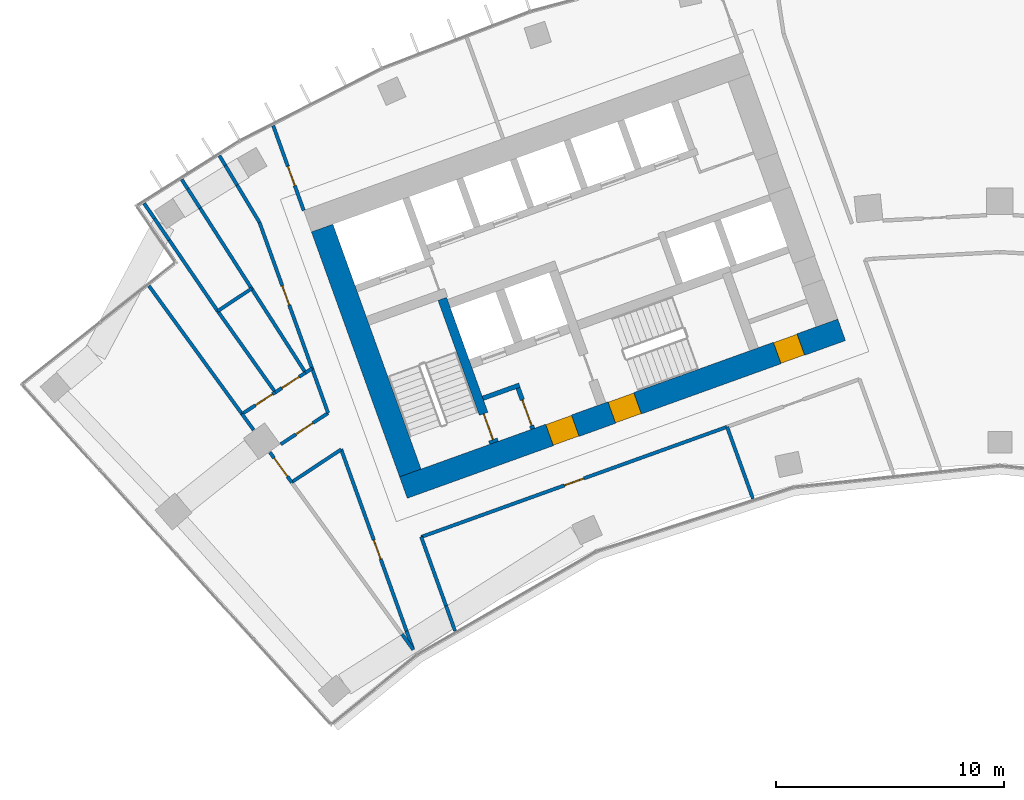
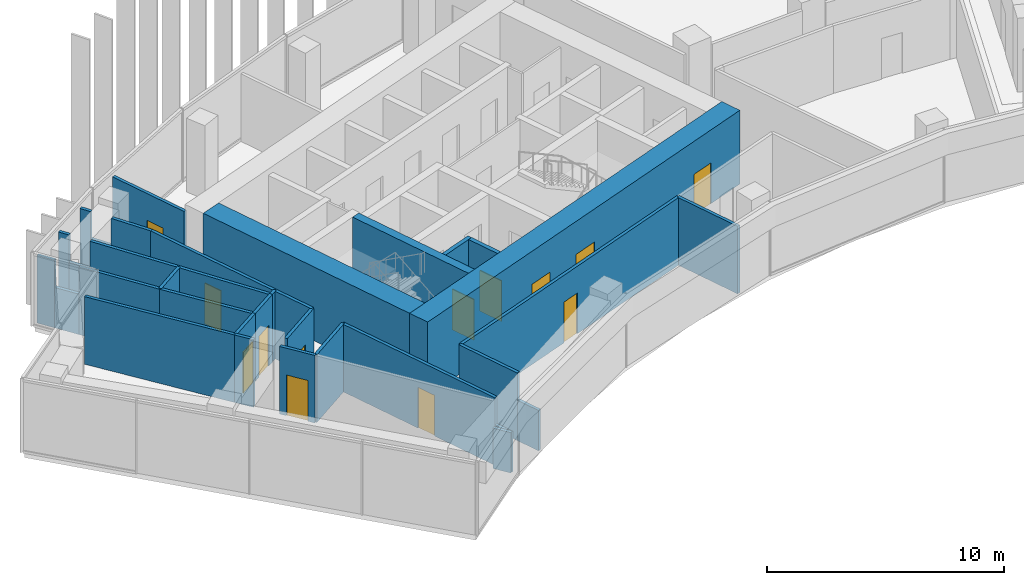
# One storey, part 13 of 19: 35 walls, 13 doors, 13 openings.
"""IFC4 building model written with IfcOpenShell, lengths in metres."""

from ifc_helpers import new_model, si_unit, direction, frame, frame_2d, origin, place, context, subcontext, project, spatial, rectangle, extrude, material, layer, layer_set, type_object, element, fill, save


model = new_model("IFC4")

# Units and contexts
model_context = context("Model", 3, precision=1e-05, world=origin(), true_north=direction((0.0, 1.0)))
body_context = subcontext(model_context, "Body", "Model", "MODEL_VIEW")
ifc_project = project(units=[si_unit("LENGTHUNIT", "METRE"), si_unit("AREAUNIT", "SQUARE_METRE"), si_unit("VOLUMEUNIT", "CUBIC_METRE"), si_unit("PLANEANGLEUNIT", "RADIAN"), si_unit("MASSUNIT", "GRAM", prefix="KILO")], contexts=[model_context])

# Site, building, storey
site_placement = place(None, origin())
site = spatial("IfcSite", under=ifc_project, at=site_placement, CompositionType="ELEMENT")
building_placement = place(site_placement, origin())
building = spatial("IfcBuilding", under=site, at=building_placement, Name="Stone Belt Terrace Tower", CompositionType="ELEMENT")
storey_placement = place(building_placement, frame((0.0, 0.0, 235.199951171875)))
storey = spatial("IfcBuildingStorey", under=building, at=storey_placement, Name="L57", CompositionType="ELEMENT", Elevation=235.199951171875)

# Wall, openings, doors
ifc_material_1 = material(Name="Concrete B60", Category="concrete")
ifc_layer_1 = layer(ifc_material_1, 1.0)
ifc_layer_set_1 = layer_set([ifc_layer_1], Name="Core wall 1000 B60")
wall_type_1 = type_object("IfcWallType", Name="Core wall 1000 B60", PredefinedType="SHEAR", material=ifc_layer_set_1)
wall_1_placement = place(storey_placement, frame((-26.122314453125, 42.462890625, 0.0), z_axis=(0.0, 0.0, 1.0), x_axis=(0.940921428504, 0.338624962727, 0.0)))
wall_1 = element("IfcWall", 1, at=wall_1_placement, inside=storey, type_object=wall_type_1, Name="Core A wall concave L57", PredefinedType="SHEAR", context=body_context, shape_type="SweptSolid", body=[
    extrude(rectangle(XDim=20.400146484375, YDim=1.0, at=frame_2d((10.2001953125, 0.0))), origin(), (0.0, 0.0, 1.0), 3.800048828125),
])
opening_1_placement = place(wall_1_placement, frame((6.800048828125, 0.0, 0.0)))
opening_1 = element("IfcOpeningElement", 2, at=opening_1_placement, cuts=wall_1, Name="Opening L57-C07", PredefinedType="OPENING", context=body_context, shape_type="SweptSolid", body=[
    extrude(rectangle(XDim=1.199951171875, YDim=2.10009765625, at=frame_2d((0.60009765625, 1.050048828125))), frame((0.0, 0.510009765625, 0.0), z_axis=(0.0, -1.0, 0.0), x_axis=(1.0, 0.0, 0.0)), (0.0, 0.0, 1.0), 1.02001953125),
])
opening_2_placement = place(wall_1_placement, frame((9.699951171875, 0.0, 0.0)))
opening_2 = element("IfcOpeningElement", 3, at=opening_2_placement, cuts=wall_1, Name="Opening L57-C09", PredefinedType="OPENING", context=body_context, shape_type="SweptSolid", body=[
    extrude(rectangle(XDim=1.199951171875, YDim=2.10009765625, at=frame_2d((0.60009765625, 1.050048828125))), frame((0.0, 0.510009765625, 0.0), z_axis=(0.0, -1.0, 0.0), x_axis=(1.0, 0.0, 0.0)), (0.0, 0.0, 1.0), 1.02001953125),
])
opening_3_placement = place(wall_1_placement, frame((17.400146484375, 0.0, 0.0)))
opening_3 = element("IfcOpeningElement", 4, at=opening_3_placement, cuts=wall_1, Name="Opening L57-C11", PredefinedType="OPENING", context=body_context, shape_type="SweptSolid", body=[
    extrude(rectangle(XDim=1.10009765625, YDim=2.10009765625, at=frame_2d((0.550048828125, 1.050048828125))), frame((0.0, 0.510009765625, 0.0), z_axis=(0.0, -1.0, 0.0), x_axis=(1.0, 0.0, 0.0)), (0.0, 0.0, 1.0), 1.02001953125),
])
ifc_material_2 = material(Name="Timber door leaf", Category="wood")
door_type_1 = type_object("IfcDoorType", Name="Core room door 1100", OperationType="SINGLE_SWING_LEFT", PredefinedType="DOOR", material=ifc_material_2)
door_1_placement = place(opening_3_placement, origin())
door_1 = element("IfcDoor", 5, at=door_1_placement, inside=storey, type_object=door_type_1, Name="Door to Pipe riser core A", OperationType="SINGLE_SWING_LEFT", OverallHeight=2.10009765625, OverallWidth=1.10009765625, PredefinedType="DOOR", context=body_context, shape_type="SweptSolid", body=[
    extrude(rectangle(XDim=1.10009765625, YDim=2.10009765625, at=frame_2d((0.550048828125, 1.050048828125))), frame((0.0, 0.47998046875, 0.0), z_axis=(0.0, -1.0, 0.0), x_axis=(1.0, 0.0, 0.0)), (0.0, 0.0, 1.0), 0.9599609375),
])
fill(opening_3, door_1)
ifc_material_3 = material(Name="Steel door leaf", Category="steel")
door_type_2 = type_object("IfcDoorType", Name="Fire-fighting lobby door 1200", OperationType="SINGLE_SWING_LEFT", PredefinedType="DOOR", material=ifc_material_3)
door_2_placement = place(opening_1_placement, origin())
door_2 = element("IfcDoor", 6, at=door_2_placement, inside=storey, type_object=door_type_2, Name="Fire-fighting lobby door core A", OperationType="SINGLE_SWING_LEFT", OverallHeight=2.10009765625, OverallWidth=1.199951171875, PredefinedType="DOOR", context=body_context, shape_type="SweptSolid", body=[
    extrude(rectangle(XDim=1.199951171875, YDim=2.10009765625, at=frame_2d((0.60009765625, 1.050048828125))), frame((0.0, 0.47998046875, 0.0), z_axis=(0.0, -1.0, 0.0), x_axis=(1.0, 0.0, 0.0)), (0.0, 0.0, 1.0), 0.9599609375),
])
fill(opening_1, door_2)
door_type_3 = type_object("IfcDoorType", Name="Stair door 1200", OperationType="SINGLE_SWING_LEFT", PredefinedType="DOOR", material=ifc_material_3)
door_3_placement = place(opening_2_placement, origin())
door_3 = element("IfcDoor", 7, at=door_3_placement, inside=storey, type_object=door_type_3, Name="Stair 2 exit door core A", OperationType="SINGLE_SWING_RIGHT", OverallHeight=2.10009765625, OverallWidth=1.199951171875, PredefinedType="DOOR", context=body_context, shape_type="SweptSolid", body=[
    extrude(rectangle(XDim=1.199951171875, YDim=2.10009765625, at=frame_2d((0.60009765625, 1.050048828125))), frame((0.0, 0.47998046875, 0.0), z_axis=(0.0, -1.0, 0.0), x_axis=(1.0, 0.0, 0.0)), (0.0, 0.0, 1.0), 0.9599609375),
])
fill(opening_2, door_3)

# Walls
wall_2_placement = place(storey_placement, frame((-25.821044921875, 43.102783203125, 0.0), z_axis=(0.0, 0.0, 1.0), x_axis=(-0.338625431531, 0.940921259788, 0.0)))
element("IfcWall", 8, at=wall_2_placement, inside=storey, type_object=wall_type_1, Name="Core A wall end_a L57", PredefinedType="SHEAR", context=body_context, shape_type="SweptSolid", body=[
    extrude(rectangle(XDim=11.400146484375, YDim=1.0, at=frame_2d((5.7001953125, 0.0))), origin(), (0.0, 0.0, 1.0), 3.800048828125),
])
ifc_material_4 = material(Name="Gypsum board partition")
ifc_layer_2 = layer(ifc_material_4, 0.14990234375)
ifc_layer_set_2 = layer_set([ifc_layer_2], Name="PARTITION 150 EI 60")
wall_type_2 = type_object("IfcWallType", Name="PARTITION 150 EI 60", PredefinedType="PARTITIONING", material=ifc_layer_set_2)
wall_3_placement = place(storey_placement, frame((-25.344970703125, 40.304931640625, 0.0), z_axis=(0.0, 0.0, 1.0), x_axis=(0.338625345836, -0.940921290628, 0.0)))
element("IfcWall", 9, at=wall_3_placement, inside=storey, type_object=wall_type_2, Name="L57/wall/i001-1", PredefinedType="PARTITIONING", context=body_context, shape_type="SweptSolid", body=[
    extrude(rectangle(XDim=3.21484375, YDim=0.14990234375, at=frame_2d((1.607421875, 0.0))), origin(), (0.0, 0.0, 1.0), 3.47998046875),
])
wall_4_placement = place(storey_placement, frame((-24.25634765625, 37.280029296875, 0.0), z_axis=(0.0, 0.0, 1.0), x_axis=(0.338542189981, -0.940951213189, 0.0)))
element("IfcWall", 10, at=wall_4_placement, inside=storey, type_object=wall_type_2, Name="L57/wall/i001-2", PredefinedType="PARTITIONING", context=body_context, shape_type="SweptSolid", body=[
    extrude(rectangle(XDim=1.17041015625, YDim=0.14990234375, at=frame_2d((0.585205078125, 0.0))), origin(), (0.0, 0.0, 1.0), 2.080078125),
])

# Wall, opening, door
wall_5_placement = place(storey_placement, frame((-31.826904296875, 58.314208984375, 0.0), z_axis=(0.0, 0.0, 1.0), x_axis=(0.338542007836, -0.940951278723, 0.0)))
wall_5 = element("IfcWall", 11, at=wall_5_placement, inside=storey, type_object=wall_type_2, Name="L57/wall/i002", PredefinedType="PARTITIONING", context=body_context, shape_type="SweptSolid", body=[
    extrude(rectangle(XDim=3.946044921875, YDim=0.14990234375, at=frame_2d((1.97314453125, 0.0))), origin(), (0.0, 0.0, 1.0), 3.47998046875),
])
opening_4_placement = place(wall_5_placement, frame((1.889892578125, 0.0, 0.0)))
opening_4 = element("IfcOpeningElement", 12, at=opening_4_placement, cuts=wall_5, Name="Opening D-D4-03", PredefinedType="OPENING", context=body_context, shape_type="SweptSolid", body=[
    extrude(rectangle(XDim=0.89990234375, YDim=2.10009765625, at=frame_2d((0.449951171875, 1.050048828125))), frame((0.0, 0.0849609375, 0.0), z_axis=(0.0, -1.0, 0.0), x_axis=(1.0, 0.0, 0.0)), (0.0, 0.0, 1.0), 0.169921875),
])
door_type_4 = type_object("IfcDoorType", Name="OFFICE DOOR 900 X 2100", OperationType="NOTDEFINED", PredefinedType="DOOR", material=ifc_material_2)
door_4_placement = place(opening_4_placement, origin())
door_4 = element("IfcDoor", 13, at=door_4_placement, inside=storey, type_object=door_type_4, Name="L57/door/i03", OperationType="SINGLE_SWING_RIGHT", OverallHeight=2.10009765625, OverallWidth=0.89990234375, PredefinedType="DOOR", context=body_context, shape_type="SweptSolid", body=[
    extrude(rectangle(XDim=0.89990234375, YDim=2.10009765625, at=frame_2d((0.449951171875, 1.050048828125))), frame((0.0, 0.02490234375, 0.0), z_axis=(0.0, -1.0, 0.0), x_axis=(1.0, 0.0, 0.0)), (0.0, 0.0, 1.0), 0.050048828125),
])
fill(opening_4, door_4)

# Wall
wall_6_placement = place(storey_placement, frame((-25.69091796875, 35.35791015625, 0.0), z_axis=(0.0, 0.0, 1.0), x_axis=(-0.338818621983, 0.940851710631, 0.0)))
element("IfcWall", 14, at=wall_6_placement, inside=storey, type_object=wall_type_2, Name="L57/wall/i003-1", PredefinedType="PARTITIONING", context=body_context, shape_type="SweptSolid", body=[
    extrude(rectangle(XDim=0.871826171875, YDim=0.14990234375, at=frame_2d((0.43603515625, 0.0))), origin(), (0.0, 0.0, 1.0), 2.080078125),
])

# Wall, opening, door
wall_7_placement = place(storey_placement, frame((-25.986328125, 36.17822265625, 0.0), z_axis=(0.0, 0.0, 1.0), x_axis=(-0.338640777151, 0.940915736956, 0.0)))
wall_7 = element("IfcWall", 15, at=wall_7_placement, inside=storey, type_object=wall_type_2, Name="L57/wall/i003-2", PredefinedType="PARTITIONING", context=body_context, shape_type="SweptSolid", body=[
    extrude(rectangle(XDim=8.45947265625, YDim=0.14990234375, at=frame_2d((4.229736328125, 0.0))), origin(), (0.0, 0.0, 1.0), 3.47998046875),
])
opening_5_placement = place(wall_7_placement, frame((3.34375, 0.0, 0.0)))
opening_5 = element("IfcOpeningElement", 16, at=opening_5_placement, cuts=wall_7, Name="Opening D-D4-10", PredefinedType="OPENING", context=body_context, shape_type="SweptSolid", body=[
    extrude(rectangle(XDim=0.89990234375, YDim=2.10009765625, at=frame_2d((0.449951171875, 1.050048828125))), frame((0.0, 0.0849609375, 0.0), z_axis=(0.0, -1.0, 0.0), x_axis=(1.0, 0.0, 0.0)), (0.0, 0.0, 1.0), 0.169921875),
])
door_5_placement = place(opening_5_placement, origin())
door_5 = element("IfcDoor", 17, at=door_5_placement, inside=storey, type_object=door_type_4, Name="L57/door/i10", OperationType="SINGLE_SWING_RIGHT", OverallHeight=2.10009765625, OverallWidth=0.89990234375, PredefinedType="DOOR", context=body_context, shape_type="SweptSolid", body=[
    extrude(rectangle(XDim=0.89990234375, YDim=2.10009765625, at=frame_2d((0.449951171875, 1.050048828125))), frame((0.0, 0.02490234375, 0.0), z_axis=(0.0, -1.0, 0.0), x_axis=(1.0, 0.0, 0.0)), (0.0, 0.0, 1.0), 0.050048828125),
])
fill(opening_5, door_5)

# Wall
wall_8_placement = place(storey_placement, frame((-29.4208984375, 45.721923828125, 0.0), z_axis=(0.0, 0.0, 1.0), x_axis=(-0.33843352279, 0.940990303166, 0.0)))
element("IfcWall", 18, at=wall_8_placement, inside=storey, type_object=wall_type_2, Name="L57/wall/i004", PredefinedType="PARTITIONING", context=body_context, shape_type="SweptSolid", body=[
    extrude(rectangle(XDim=2.086181640625, YDim=0.14990234375, at=frame_2d((1.04296875, 0.0))), origin(), (0.0, 0.0, 1.0), 3.47998046875),
])

# Wall, opening, door
wall_9_placement = place(storey_placement, frame((-30.123046875, 47.673095703125, 0.0), z_axis=(0.0, 0.0, 1.0), x_axis=(-0.338708034587, 0.940891527917, 0.0)))
wall_9 = element("IfcWall", 19, at=wall_9_placement, inside=storey, type_object=wall_type_2, Name="L57/wall/i005", PredefinedType="PARTITIONING", context=body_context, shape_type="SweptSolid", body=[
    extrude(rectangle(XDim=6.80517578125, YDim=0.14990234375, at=frame_2d((3.402587890625, 0.0))), origin(), (0.0, 0.0, 1.0), 3.47998046875),
])
opening_6_placement = place(wall_9_placement, frame((2.95263671875, 0.0, 0.0)))
opening_6 = element("IfcOpeningElement", 20, at=opening_6_placement, cuts=wall_9, Name="Opening D-D4-14", PredefinedType="OPENING", context=body_context, shape_type="SweptSolid", body=[
    extrude(rectangle(XDim=0.89990234375, YDim=2.10009765625, at=frame_2d((0.449951171875, 1.050048828125))), frame((0.0, 0.0849609375, 0.0), z_axis=(0.0, -1.0, 0.0), x_axis=(1.0, 0.0, 0.0)), (0.0, 0.0, 1.0), 0.169921875),
])
door_6_placement = place(opening_6_placement, origin())
door_6 = element("IfcDoor", 21, at=door_6_placement, inside=storey, type_object=door_type_4, Name="L57/door/i14", OperationType="SINGLE_SWING_RIGHT", OverallHeight=2.10009765625, OverallWidth=0.89990234375, PredefinedType="DOOR", context=body_context, shape_type="SweptSolid", body=[
    extrude(rectangle(XDim=0.89990234375, YDim=2.10009765625, at=frame_2d((0.449951171875, 1.050048828125))), frame((0.0, 0.02490234375, 0.0), z_axis=(0.0, -1.0, 0.0), x_axis=(1.0, 0.0, 0.0)), (0.0, 0.0, 1.0), 0.050048828125),
])
fill(opening_6, door_6)

# Walls
wall_10_placement = place(storey_placement, frame((-32.427978515625, 54.075927734375, 0.0), z_axis=(0.0, 0.0, 1.0), x_axis=(-0.51415690432, 0.857696145345, 0.0)))
element("IfcWall", 22, at=wall_10_placement, inside=storey, type_object=wall_type_2, Name="L57/wall/i006-1", PredefinedType="PARTITIONING", context=body_context, shape_type="SweptSolid", body=[
    extrude(rectangle(XDim=1.907470703125, YDim=0.14990234375, at=frame_2d((0.95361328125, 0.0))), origin(), (0.0, 0.0, 1.0), 3.47998046875),
])
wall_11_placement = place(storey_placement, frame((-33.40869140625, 55.7119140625, 0.0), z_axis=(0.0, 0.0, 1.0), x_axis=(-0.514101747942, 0.85772920713, 0.0)))
element("IfcWall", 23, at=wall_11_placement, inside=storey, type_object=wall_type_2, Name="L57/wall/i006-2", PredefinedType="PARTITIONING", context=body_context, shape_type="SweptSolid", body=[
    extrude(rectangle(XDim=1.00244140625, YDim=0.14990234375, at=frame_2d((0.501220703125, 0.0))), origin(), (0.0, 0.0, 1.0), 2.080078125),
])
wall_12_placement = place(storey_placement, frame((-33.924072265625, 56.57177734375, 0.0), z_axis=(0.0, 0.0, 1.0), x_axis=(-0.514138392294, 0.857707242344, 0.0)))
element("IfcWall", 24, at=wall_12_placement, inside=storey, type_object=wall_type_2, Name="L57/wall/i006-3", PredefinedType="PARTITIONING", context=body_context, shape_type="SweptSolid", body=[
    extrude(rectangle(XDim=0.50244140625, YDim=0.14990234375, at=frame_2d((0.251220703125, 0.0))), origin(), (0.0, 0.0, 1.0), 3.47998046875),
])

# Wall, opening, door
wall_13_placement = place(storey_placement, frame((-11.93896484375, 45.123046875, 0.0), z_axis=(0.0, 0.0, 1.0), x_axis=(-0.940920615009, -0.338627223138, 0.0)))
wall_13 = element("IfcWall", 25, at=wall_13_placement, inside=storey, type_object=wall_type_2, Name="L57/wall/i012", PredefinedType="PARTITIONING", context=body_context, shape_type="SweptSolid", body=[
    extrude(rectangle(XDim=14.24560546875, YDim=0.14990234375, at=frame_2d((7.122802734375, 0.0))), origin(), (0.0, 0.0, 1.0), 3.47998046875),
])
opening_7_placement = place(wall_13_placement, frame((6.6728515625, 0.0, 0.0)))
opening_7 = element("IfcOpeningElement", 26, at=opening_7_placement, cuts=wall_13, Name="Opening D-D4-01", PredefinedType="OPENING", context=body_context, shape_type="SweptSolid", body=[
    extrude(rectangle(XDim=0.89990234375, YDim=2.10009765625, at=frame_2d((0.449951171875, 1.050048828125))), frame((0.0, 0.0849609375, 0.0), z_axis=(0.0, -1.0, 0.0), x_axis=(1.0, 0.0, 0.0)), (0.0, 0.0, 1.0), 0.169921875),
])
door_7_placement = place(opening_7_placement, origin())
door_7 = element("IfcDoor", 27, at=door_7_placement, inside=storey, type_object=door_type_4, Name="L57/door/i01", OperationType="SINGLE_SWING_RIGHT", OverallHeight=2.10009765625, OverallWidth=0.89990234375, PredefinedType="DOOR", context=body_context, shape_type="SweptSolid", body=[
    extrude(rectangle(XDim=0.89990234375, YDim=2.10009765625, at=frame_2d((0.449951171875, 1.050048828125))), frame((0.0, 0.02490234375, 0.0), z_axis=(0.0, -1.0, 0.0), x_axis=(1.0, 0.0, 0.0)), (0.0, 0.0, 1.0), 0.050048828125),
])
fill(opening_7, door_7)

# Wall
wall_14_placement = place(storey_placement, frame((-11.945068359375, 45.12109375, 0.0), z_axis=(0.0, 0.0, 1.0), x_axis=(0.338546245332, -0.940949754116, 0.0)))
element("IfcWall", 28, at=wall_14_placement, inside=storey, type_object=wall_type_2, Name="L57/wall/i014", PredefinedType="PARTITIONING", context=body_context, shape_type="SweptSolid", body=[
    extrude(rectangle(XDim=3.343994140625, YDim=0.14990234375, at=frame_2d((1.671875, 0.0))), origin(), (0.0, 0.0, 1.0), 3.47998046875),
])

# Wall, opening, door
wall_15_placement = place(storey_placement, frame((-31.01708984375, 42.69091796875, 0.0), z_axis=(0.0, 0.0, 1.0), x_axis=(-0.587894873124, 0.80893733883, 0.0)))
wall_15 = element("IfcWall", 29, at=wall_15_placement, inside=storey, type_object=wall_type_2, Name="L57/wall/i032", PredefinedType="PARTITIONING", context=body_context, shape_type="SweptSolid", body=[
    extrude(rectangle(XDim=1.625732421875, YDim=0.14990234375, at=frame_2d((0.81298828125, 0.0))), origin(), (0.0, 0.0, 1.0), 3.47998046875),
])
opening_8_placement = place(wall_15_placement, frame((0.31298828125, 0.0, 0.0)))
opening_8 = element("IfcOpeningElement", 30, at=opening_8_placement, cuts=wall_15, Name="Opening D-D4-09", PredefinedType="OPENING", context=body_context, shape_type="SweptSolid", body=[
    extrude(rectangle(XDim=1.0, YDim=2.10009765625, at=frame_2d((0.5, 1.050048828125))), frame((0.0, 0.0849609375, 0.0), z_axis=(0.0, -1.0, 0.0), x_axis=(1.0, 0.0, 0.0)), (0.0, 0.0, 1.0), 0.169921875),
])
ifc_material_5 = material(Name="Timber fire door leaf", Category="wood")
door_type_5 = type_object("IfcDoorType", Name="TENANCY ENTRANCE DOOR 1000 X 2100", OperationType="NOTDEFINED", PredefinedType="DOOR", material=ifc_material_5)
door_8_placement = place(opening_8_placement, origin())
door_8 = element("IfcDoor", 31, at=door_8_placement, inside=storey, type_object=door_type_5, Name="L57/door/i09", OperationType="SINGLE_SWING_RIGHT", OverallHeight=2.10009765625, OverallWidth=1.0, PredefinedType="DOOR", context=body_context, shape_type="SweptSolid", body=[
    extrude(rectangle(XDim=1.0, YDim=2.10009765625, at=frame_2d((0.5, 1.050048828125))), frame((0.0, 0.02490234375, 0.0), z_axis=(0.0, -1.0, 0.0), x_axis=(1.0, 0.0, 0.0)), (0.0, 0.0, 1.0), 0.050048828125),
])
fill(opening_8, door_8)

# Walls
wall_16_placement = place(storey_placement, frame((-26.183349609375, 36.038818359375, 0.0), z_axis=(0.0, 0.0, 1.0), x_axis=(0.58775391966, -0.809039757938, 0.0)))
element("IfcWall", 32, at=wall_16_placement, inside=storey, type_object=wall_type_2, Name="L57/wall/i033-2", PredefinedType="PARTITIONING", context=body_context, shape_type="SweptSolid", body=[
    extrude(rectangle(XDim=0.833984375, YDim=0.14990234375, at=frame_2d((0.4169921875, 0.0))), origin(), (0.0, 0.0, 1.0), 2.080078125),
])
wall_17_placement = place(storey_placement, frame((-33.197021484375, 45.69091796875, 0.0), z_axis=(0.0, 0.0, 1.0), x_axis=(0.587888822877, -0.808941735811, 0.0)))
element("IfcWall", 33, at=wall_17_placement, inside=storey, type_object=wall_type_2, Name="L57/wall/i034", PredefinedType="PARTITIONING", context=body_context, shape_type="SweptSolid", body=[
    extrude(rectangle(XDim=0.87255859375, YDim=0.14990234375, at=frame_2d((0.436279296875, 0.0))), origin(), (0.0, 0.0, 1.0), 3.47998046875),
])
wall_18_placement = place(storey_placement, frame((-37.271728515625, 51.2998046875, 0.0), z_axis=(0.0, 0.0, 1.0), x_axis=(0.587797445401, -0.809008135422, 0.0)))
element("IfcWall", 34, at=wall_18_placement, inside=storey, type_object=wall_type_2, Name="L57/wall/i035", PredefinedType="PARTITIONING", context=body_context, shape_type="SweptSolid", body=[
    extrude(rectangle(XDim=6.944091796875, YDim=0.14990234375, at=frame_2d((3.47216796875, 0.0))), origin(), (0.0, 0.0, 1.0), 3.47998046875),
])
wall_19_placement = place(storey_placement, frame((-28.84912109375, 44.132080078125, 0.0), z_axis=(0.0, 0.0, 1.0), x_axis=(-0.834036299229, -0.551709571757, 0.0)))
element("IfcWall", 35, at=wall_19_placement, inside=storey, type_object=wall_type_2, Name="L57/wall/i036", PredefinedType="PARTITIONING", context=body_context, shape_type="SweptSolid", body=[
    extrude(rectangle(XDim=2.602783203125, YDim=0.14990234375, at=frame_2d((1.30126953125, 0.0))), origin(), (0.0, 0.0, 1.0), 3.47998046875),
])

# Wall, opening, door
wall_20_placement = place(storey_placement, frame((-31.49755859375, 44.3564453125, 0.0), z_axis=(0.0, 0.0, 1.0), x_axis=(0.834158700869, 0.551524488817, 0.0)))
wall_20 = element("IfcWall", 36, at=wall_20_placement, inside=storey, type_object=wall_type_2, Name="L57/wall/i037", PredefinedType="PARTITIONING", context=body_context, shape_type="SweptSolid", body=[
    extrude(rectangle(XDim=2.48681640625, YDim=0.14990234375, at=frame_2d((1.243408203125, 0.0))), origin(), (0.0, 0.0, 1.0), 3.47998046875),
])
opening_9_placement = place(wall_20_placement, frame((0.79345703125, 0.0, 0.0)))
opening_9 = element("IfcOpeningElement", 37, at=opening_9_placement, cuts=wall_20, Name="Opening D-D4-11", PredefinedType="OPENING", context=body_context, shape_type="SweptSolid", body=[
    extrude(rectangle(XDim=0.89990234375, YDim=2.10009765625, at=frame_2d((0.449951171875, 1.050048828125))), frame((0.0, 0.0849609375, 0.0), z_axis=(0.0, -1.0, 0.0), x_axis=(1.0, 0.0, 0.0)), (0.0, 0.0, 1.0), 0.169921875),
])
door_9_placement = place(opening_9_placement, origin())
door_9 = element("IfcDoor", 38, at=door_9_placement, inside=storey, type_object=door_type_4, Name="L57/door/i11", OperationType="SINGLE_SWING_RIGHT", OverallHeight=2.10009765625, OverallWidth=0.89990234375, PredefinedType="DOOR", context=body_context, shape_type="SweptSolid", body=[
    extrude(rectangle(XDim=0.89990234375, YDim=2.10009765625, at=frame_2d((0.449951171875, 1.050048828125))), frame((0.0, 0.02490234375, 0.0), z_axis=(0.0, -1.0, 0.0), x_axis=(1.0, 0.0, 0.0)), (0.0, 0.0, 1.0), 0.050048828125),
])
fill(opening_9, door_9)

wall_21_placement = place(storey_placement, frame((-33.193115234375, 45.68701171875, 0.0), z_axis=(0.0, 0.0, 1.0), x_axis=(0.83876621414, 0.54449172447, 0.0)))
wall_21 = element("IfcWall", 39, at=wall_21_placement, inside=storey, type_object=wall_type_2, Name="L57/wall/i038", PredefinedType="PARTITIONING", context=body_context, shape_type="SweptSolid", body=[
    extrude(rectangle(XDim=1.74560546875, YDim=0.14990234375, at=frame_2d((0.872802734375, 0.0))), origin(), (0.0, 0.0, 1.0), 3.47998046875),
])
opening_10_placement = place(wall_21_placement, frame((0.695556640625, 0.0, 0.0)))
opening_10 = element("IfcOpeningElement", 40, at=opening_10_placement, cuts=wall_21, Name="Opening D-D4-12", PredefinedType="OPENING", context=body_context, shape_type="SweptSolid", body=[
    extrude(rectangle(XDim=0.89990234375, YDim=2.10009765625, at=frame_2d((0.449951171875, 1.050048828125))), frame((0.0, 0.0849609375, 0.0), z_axis=(0.0, -1.0, 0.0), x_axis=(1.0, 0.0, 0.0)), (0.0, 0.0, 1.0), 0.169921875),
])
door_10_placement = place(opening_10_placement, origin())
door_10 = element("IfcDoor", 41, at=door_10_placement, inside=storey, type_object=door_type_4, Name="L57/door/i12", OperationType="SINGLE_SWING_RIGHT", OverallHeight=2.10009765625, OverallWidth=0.89990234375, PredefinedType="DOOR", context=body_context, shape_type="SweptSolid", body=[
    extrude(rectangle(XDim=0.89990234375, YDim=2.10009765625, at=frame_2d((0.449951171875, 1.050048828125))), frame((0.0, 0.02490234375, 0.0), z_axis=(0.0, -1.0, 0.0), x_axis=(1.0, 0.0, 0.0)), (0.0, 0.0, 1.0), 0.050048828125),
])
fill(opening_10, door_10)

wall_22_placement = place(storey_placement, frame((-31.739013671875, 46.631591796875, 0.0), z_axis=(0.0, 0.0, 1.0), x_axis=(0.838822772434, 0.544404588928, 0.0)))
wall_22 = element("IfcWall", 42, at=wall_22_placement, inside=storey, type_object=wall_type_2, Name="L57/wall/i039", PredefinedType="PARTITIONING", context=body_context, shape_type="SweptSolid", body=[
    extrude(rectangle(XDim=1.587890625, YDim=0.14990234375, at=frame_2d((0.7939453125, 0.0))), origin(), (0.0, 0.0, 1.0), 3.47998046875),
])
opening_11_placement = place(wall_22_placement, frame((0.343994140625, 0.0, 0.0)))
opening_11 = element("IfcOpeningElement", 43, at=opening_11_placement, cuts=wall_22, Name="Opening D-D4-13", PredefinedType="OPENING", context=body_context, shape_type="SweptSolid", body=[
    extrude(rectangle(XDim=0.89990234375, YDim=2.10009765625, at=frame_2d((0.449951171875, 1.050048828125))), frame((0.0, 0.0849609375, 0.0), z_axis=(0.0, -1.0, 0.0), x_axis=(1.0, 0.0, 0.0)), (0.0, 0.0, 1.0), 0.169921875),
])
door_11_placement = place(opening_11_placement, origin())
door_11 = element("IfcDoor", 44, at=door_11_placement, inside=storey, type_object=door_type_4, Name="L57/door/i13", OperationType="SINGLE_SWING_RIGHT", OverallHeight=2.10009765625, OverallWidth=0.89990234375, PredefinedType="DOOR", context=body_context, shape_type="SweptSolid", body=[
    extrude(rectangle(XDim=0.89990234375, YDim=2.10009765625, at=frame_2d((0.449951171875, 1.050048828125))), frame((0.0, 0.02490234375, 0.0), z_axis=(0.0, -1.0, 0.0), x_axis=(1.0, 0.0, 0.0)), (0.0, 0.0, 1.0), 0.050048828125),
])
fill(opening_11, door_11)

# Walls
wall_23_placement = place(storey_placement, frame((-30.4169921875, 47.489990234375, 0.0), z_axis=(0.0, 0.0, 1.0), x_axis=(0.839532489511, 0.543309487359, 0.0)))
element("IfcWall", 45, at=wall_23_placement, inside=storey, type_object=wall_type_2, Name="L57/wall/i040", PredefinedType="PARTITIONING", context=body_context, shape_type="SweptSolid", body=[
    extrude(rectangle(XDim=0.347900390625, YDim=0.14990234375, at=frame_2d((0.173828125, 0.0))), origin(), (0.0, 0.0, 1.0), 3.47998046875),
])
wall_24_placement = place(storey_placement, frame((-34.262939453125, 50.197998046875, 0.0), z_axis=(0.0, 0.0, 1.0), x_axis=(0.578661916565, -0.81556752407, 0.0)))
element("IfcWall", 46, at=wall_24_placement, inside=storey, type_object=wall_type_2, Name="L57/wall/i041", PredefinedType="PARTITIONING", context=body_context, shape_type="SweptSolid", body=[
    extrude(rectangle(XDim=4.37060546875, YDim=0.14990234375, at=frame_2d((2.185302734375, 0.0))), origin(), (0.0, 0.0, 1.0), 3.47998046875),
])
wall_25_placement = place(storey_placement, frame((-37.484375, 54.91650390625, 0.0), z_axis=(0.0, 0.0, 1.0), x_axis=(0.563681743932, -0.825992065069, 0.0)))
element("IfcWall", 47, at=wall_25_placement, inside=storey, type_object=wall_type_2, Name="L57/wall/i042-1", PredefinedType="PARTITIONING", context=body_context, shape_type="SweptSolid", body=[
    extrude(rectangle(XDim=0.8125, YDim=0.14990234375, at=frame_2d((0.40625, 0.0))), origin(), (0.0, 0.0, 1.0), 3.47998046875),
])
wall_26_placement = place(storey_placement, frame((-37.0263671875, 54.245361328125, 0.0), z_axis=(0.0, 0.0, 1.0), x_axis=(0.563819762869, -0.825897859906, 0.0)))
element("IfcWall", 48, at=wall_26_placement, inside=storey, type_object=wall_type_2, Name="L57/wall/i042-2", PredefinedType="PARTITIONING", context=body_context, shape_type="SweptSolid", body=[
    extrude(rectangle(XDim=1.144775390625, YDim=0.14990234375, at=frame_2d((0.572265625, 0.0))), origin(), (0.0, 0.0, 1.0), 2.080078125),
])
wall_27_placement = place(storey_placement, frame((-36.380859375, 53.2998046875, 0.0), z_axis=(0.0, 0.0, 1.0), x_axis=(0.56371479405, -0.825969509709, 0.0)))
element("IfcWall", 49, at=wall_27_placement, inside=storey, type_object=wall_type_2, Name="L57/wall/i042-3", PredefinedType="PARTITIONING", context=body_context, shape_type="SweptSolid", body=[
    extrude(rectangle(XDim=3.767578125, YDim=0.14990234375, at=frame_2d((1.8837890625, 0.0))), origin(), (0.0, 0.0, 1.0), 3.47998046875),
])
wall_28_placement = place(storey_placement, frame((-34.260009765625, 50.193115234375, 0.0), z_axis=(0.0, 0.0, 1.0), x_axis=(0.83414980876, 0.55153793754, 0.0)))
element("IfcWall", 50, at=wall_28_placement, inside=storey, type_object=wall_type_2, Name="L57/wall/i043", PredefinedType="PARTITIONING", context=body_context, shape_type="SweptSolid", body=[
    extrude(rectangle(XDim=1.783935546875, YDim=0.14990234375, at=frame_2d((0.89208984375, 0.0))), origin(), (0.0, 0.0, 1.0), 3.47998046875),
])
wall_29_placement = place(storey_placement, frame((-32.77197265625, 51.177001953125, 0.0), z_axis=(0.0, 0.0, 1.0), x_axis=(0.539386188695, -0.842058513077, 0.0)))
element("IfcWall", 51, at=wall_29_placement, inside=storey, type_object=wall_type_2, Name="L57/wall/i044", PredefinedType="PARTITIONING", context=body_context, shape_type="SweptSolid", body=[
    extrude(rectangle(XDim=4.375, YDim=0.14990234375, at=frame_2d((2.1875, 0.0))), origin(), (0.0, 0.0, 1.0), 3.47998046875),
])
wall_30_placement = place(storey_placement, frame((-35.833984375, 55.959228515625, 0.0), z_axis=(0.0, 0.0, 1.0), x_axis=(0.539493458681, -0.841989790936, 0.0)))
element("IfcWall", 52, at=wall_30_placement, inside=storey, type_object=wall_type_2, Name="L57/wall/i045-1", PredefinedType="PARTITIONING", context=body_context, shape_type="SweptSolid", body=[
    extrude(rectangle(XDim=0.48828125, YDim=0.14990234375, at=frame_2d((0.244140625, 0.0))), origin(), (0.0, 0.0, 1.0), 3.47998046875),
])
wall_31_placement = place(storey_placement, frame((-35.570556640625, 55.548095703125, 0.0), z_axis=(0.0, 0.0, 1.0), x_axis=(0.539143566609, -0.842213876984, 0.0)))
element("IfcWall", 53, at=wall_31_placement, inside=storey, type_object=wall_type_2, Name="L57/wall/i045-2", PredefinedType="PARTITIONING", context=body_context, shape_type="SweptSolid", body=[
    extrude(rectangle(XDim=1.002197265625, YDim=0.14990234375, at=frame_2d((0.5009765625, 0.0))), origin(), (0.0, 0.0, 1.0), 2.080078125),
])
wall_32_placement = place(storey_placement, frame((-35.0302734375, 54.7041015625, 0.0), z_axis=(0.0, 0.0, 1.0), x_axis=(0.539215796903, -0.842167634364, 0.0)))
element("IfcWall", 54, at=wall_32_placement, inside=storey, type_object=wall_type_2, Name="L57/wall/i045-3", PredefinedType="PARTITIONING", context=body_context, shape_type="SweptSolid", body=[
    extrude(rectangle(XDim=4.188232421875, YDim=0.14990234375, at=frame_2d((2.09423828125, 0.0))), origin(), (0.0, 0.0, 1.0), 3.47998046875),
])
ifc_material_6 = material(Name="Concrete masonry block", Category="masonry")
ifc_layer_3 = layer(ifc_material_6, 0.199951171875)
ifc_layer_set_3 = layer_set([ifc_layer_3], Name="Rated lobby wall 200")
wall_type_3 = type_object("IfcWallType", Name="Rated lobby wall 200", PredefinedType="PARTITIONING", material=ifc_layer_set_3)
wall_33_placement = place(storey_placement, frame((-22.640625, 46.373046875, 0.0), z_axis=(0.0, 0.0, 1.0), x_axis=(0.940966110313, 0.338500781747, 0.0)))
element("IfcWall", 55, at=wall_33_placement, inside=storey, type_object=wall_type_3, Name="Core A wall", PredefinedType="PARTITIONING", context=body_context, shape_type="SweptSolid", body=[
    extrude(rectangle(XDim=1.699951171875, YDim=0.199951171875, at=frame_2d((0.85009765625, 0.0))), origin(), (0.0, 0.0, 1.0), 3.47998046875),
])

# Wall, opening, door
wall_34_placement = place(storey_placement, frame((-20.4580078125, 45.032958984375, 0.0), z_axis=(0.0, 0.0, 1.0), x_axis=(-0.338573865316, 0.940939816208, 0.0)))
wall_34 = element("IfcWall", 56, at=wall_34_placement, inside=storey, type_object=wall_type_3, Name="Core A wall", PredefinedType="PARTITIONING", context=body_context, shape_type="SweptSolid", body=[
    extrude(rectangle(XDim=1.900146484375, YDim=0.199951171875, at=frame_2d((0.9501953125, 0.0))), origin(), (0.0, 0.0, 1.0), 3.47998046875),
])
opening_12_placement = place(wall_34_placement, frame((0.14990234375, 0.0, 0.0)))
opening_12 = element("IfcOpeningElement", 57, at=opening_12_placement, cuts=wall_34, Name="Opening L57-C06", PredefinedType="OPENING", context=body_context, shape_type="SweptSolid", body=[
    extrude(rectangle(XDim=1.199951171875, YDim=2.10009765625, at=frame_2d((0.60009765625, 1.050048828125))), frame((0.0, 0.10986328125, 0.0), z_axis=(0.0, -1.0, 0.0), x_axis=(1.0, 0.0, 0.0)), (0.0, 0.0, 1.0), 0.219970703125),
])
door_12_placement = place(opening_12_placement, origin())
door_12 = element("IfcDoor", 58, at=door_12_placement, inside=storey, type_object=door_type_3, Name="Stair airlock door core A", OperationType="SINGLE_SWING_LEFT", OverallHeight=2.10009765625, OverallWidth=1.199951171875, PredefinedType="DOOR", context=body_context, shape_type="SweptSolid", body=[
    extrude(rectangle(XDim=1.199951171875, YDim=2.10009765625, at=frame_2d((0.60009765625, 1.050048828125))), frame((0.0, 0.02490234375, 0.0), z_axis=(0.0, -1.0, 0.0), x_axis=(1.0, 0.0, 0.0)), (0.0, 0.0, 1.0), 0.050048828125),
])
fill(opening_12, door_12)

ifc_material_7 = material(Name="Concrete B80", Category="concrete")
ifc_layer_4 = layer(ifc_material_7, 0.39990234375)
ifc_layer_set_4 = layer_set([ifc_layer_4], Name="Stair enclosure wall 400")
wall_type_4 = type_object("IfcWallType", Name="Stair enclosure wall 400", PredefinedType="SHEAR", material=ifc_layer_set_4)
wall_35_placement = place(storey_placement, frame((-22.151611328125, 44.42333984375, 0.0), z_axis=(0.0, 0.0, 1.0), x_axis=(-0.338625272931, 0.940921316866, 0.0)))
wall_35 = element("IfcWall", 59, at=wall_35_placement, inside=storey, type_object=wall_type_4, Name="Core A wall", PredefinedType="SHEAR", context=body_context, shape_type="SweptSolid", body=[
    extrude(rectangle(XDim=6.699951171875, YDim=0.39990234375, at=frame_2d((3.35009765625, 0.0))), origin(), (0.0, 0.0, 1.0), 3.47998046875),
])
opening_13_placement = place(wall_35_placement, frame((0.14990234375, 0.0, 0.0)))
opening_13 = element("IfcOpeningElement", 60, at=opening_13_placement, cuts=wall_35, Name="Opening L57-C05", PredefinedType="OPENING", context=body_context, shape_type="SweptSolid", body=[
    extrude(rectangle(XDim=1.199951171875, YDim=2.10009765625, at=frame_2d((0.60009765625, 1.050048828125))), frame((0.0, 0.2099609375, 0.0), z_axis=(0.0, -1.0, 0.0), x_axis=(1.0, 0.0, 0.0)), (0.0, 0.0, 1.0), 0.419921875),
])
door_13_placement = place(opening_13_placement, origin())
door_13 = element("IfcDoor", 61, at=door_13_placement, inside=storey, type_object=door_type_3, Name="Stair 1 door core A", OperationType="SINGLE_SWING_LEFT", OverallHeight=2.10009765625, OverallWidth=1.199951171875, PredefinedType="DOOR", context=body_context, shape_type="SweptSolid", body=[
    extrude(rectangle(XDim=1.199951171875, YDim=2.10009765625, at=frame_2d((0.60009765625, 1.050048828125))), frame((0.0, 0.02490234375, 0.0), z_axis=(0.0, -1.0, 0.0), x_axis=(1.0, 0.0, 0.0)), (0.0, 0.0, 1.0), 0.050048828125),
])
fill(opening_13, door_13)

save(model, "model.ifc")
